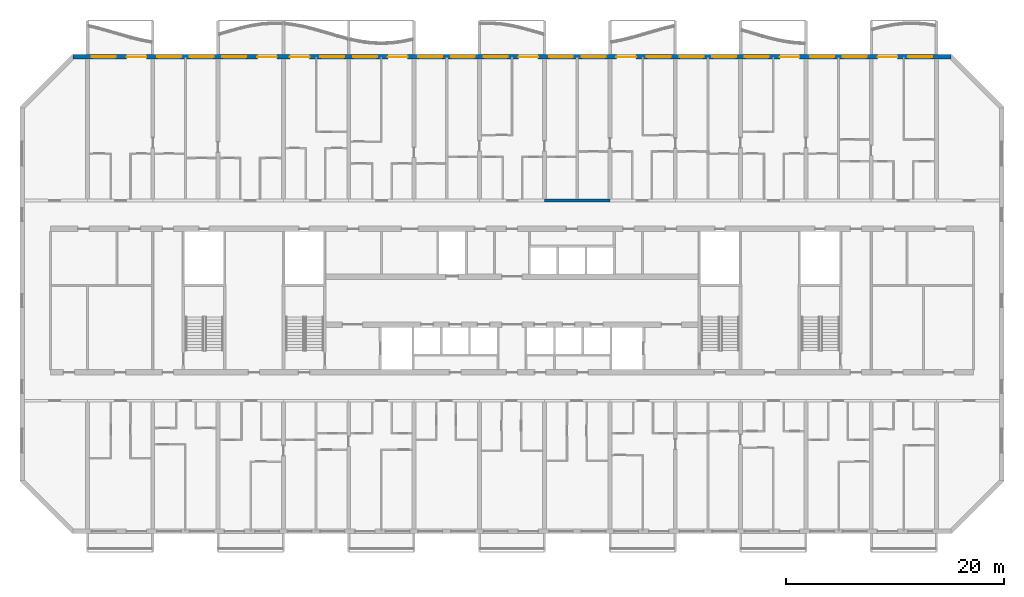
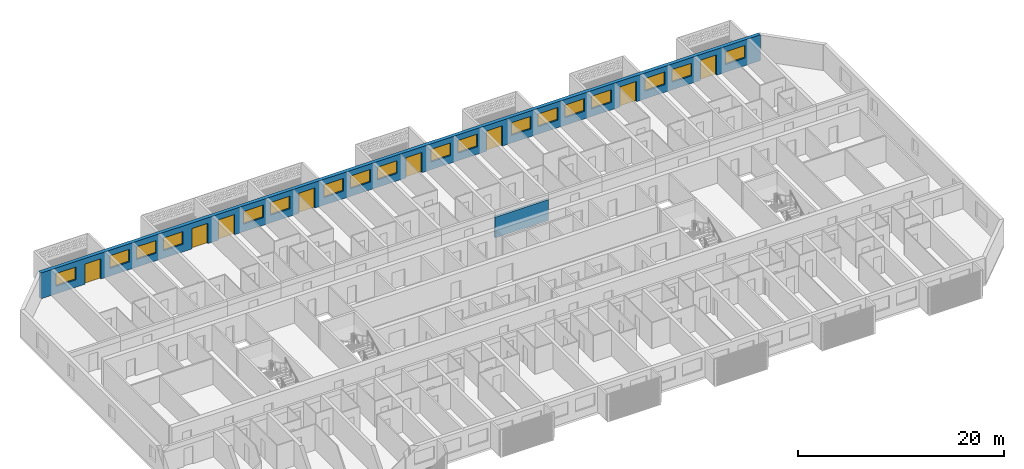
# One storey, part 12 of 31: 18 windows, 8 doors, 2 walls, 26 openings.
"""IFC4 building model written with IfcOpenShell, lengths in metres."""

from ifc_helpers import new_model, si_unit, direction, frame, frame_2d, origin, place, context, subcontext, project, spatial, rectangle, extrude, material, layer, layer_set, type_object, element, fill, save


model = new_model("IFC4")

# Units and contexts
model_context = context("Model", 3, precision=1e-05, world=origin(), true_north=direction((0.0, 1.0)))
body_context = subcontext(model_context, "Body", "Model", "MODEL_VIEW")
ifc_project = project(units=[si_unit("LENGTHUNIT", "METRE"), si_unit("AREAUNIT", "SQUARE_METRE"), si_unit("VOLUMEUNIT", "CUBIC_METRE"), si_unit("PLANEANGLEUNIT", "RADIAN"), si_unit("MASSUNIT", "GRAM", prefix="KILO")], contexts=[model_context])

# Site, building, storey
site_placement = place(None, origin())
site = spatial("IfcSite", under=ifc_project, at=site_placement, CompositionType="ELEMENT")
building_placement = place(site_placement, origin())
building = spatial("IfcBuilding", under=site, at=building_placement, Name="Poui Terraces", CompositionType="ELEMENT")
storey_placement = place(building_placement, frame((0.0, 0.0, 82.800048828125)))
storey = spatial("IfcBuildingStorey", under=building, at=storey_placement, Name="L22", CompositionType="ELEMENT", Elevation=82.800048828125)

# Wall
ifc_material_1 = material(Name="Concrete 65 MPa", Category="concrete")
ifc_layer_1 = layer(ifc_material_1, 0.25)
ifc_layer_set_1 = layer_set([ifc_layer_1], Name="Concrete 65 MPa")
wall_type_1 = type_object("IfcWallType", Name="CORRIDOR WALL 250 65MPa", PredefinedType="SHEAR", material=ifc_layer_set_1)
wall_1_placement = place(storey_placement, frame((54.0, 30.39990234375, 0.0), z_axis=(0.0, 0.0, 1.0), x_axis=(1.0, 0.0, 0.0)))
element("IfcWall", 1, at=wall_1_placement, inside=storey, type_object=wall_type_1, Name="CORRIDOR WALL LINE E BAY 9", PredefinedType="SHEAR", context=body_context, shape_type="SweptSolid", body=[
    extrude(rectangle(XDim=6.0, YDim=0.25, at=frame_2d((3.0, 0.0))), origin(), (0.0, 0.0, 1.0), 2.4599609375),
])

# Wall, openings, doors, windows
ifc_material_2 = material(Name="Precast concrete 40 MPa", Category="concrete")
ifc_layer_2 = layer(ifc_material_2, 0.39990234375)
ifc_layer_set_2 = layer_set([ifc_layer_2], Name="Precast concrete 40 MPa")
wall_type_2 = type_object("IfcWallType", Name="EXTERNAL WALL 400", PredefinedType="STANDARD", material=ifc_layer_set_2)
wall_2_placement = place(storey_placement, frame((91.317138671875, 43.60009765625, 0.0), z_axis=(0.0, 0.0, 1.0), x_axis=(-1.0, 0.0, 0.0)))
wall_2 = element("IfcWall", 2, at=wall_2_placement, inside=storey, type_object=wall_type_2, Name="EXTERNAL WALL N", PredefinedType="STANDARD", context=body_context, shape_type="SweptSolid", body=[
    extrude(rectangle(XDim=80.63427734375, YDim=0.39990234375, at=frame_2d((40.317138671875, 0.0))), origin(), (0.0, 0.0, 1.0), 3.06005859375),
])
opening_1_placement = place(wall_2_placement, frame((76.71728515625, 0.0, 0.89990234375)))
opening_1 = element("IfcOpeningElement", 3, at=opening_1_placement, cuts=wall_2, Name="Opening W1", PredefinedType="OPENING", context=body_context, shape_type="SweptSolid", body=[
    extrude(rectangle(XDim=2.199951171875, YDim=1.5, at=frame_2d((1.10009765625, 0.75))), frame((0.0, 0.2099609375, 0.0), z_axis=(0.0, -1.0, 0.0), x_axis=(1.0, 0.0, 0.0)), (0.0, 0.0, 1.0), 0.419921875),
])
opening_2_placement = place(wall_2_placement, frame((73.917236328125, 0.0, 0.0)))
opening_2 = element("IfcOpeningElement", 4, at=opening_2_placement, cuts=wall_2, Name="Opening BD1", PredefinedType="OPENING", context=body_context, shape_type="SweptSolid", body=[
    extrude(rectangle(XDim=1.800048828125, YDim=2.39990234375, at=frame_2d((0.89990234375, 1.199951171875))), frame((0.0, 0.2099609375, 0.0), z_axis=(0.0, -1.0, 0.0), x_axis=(1.0, 0.0, 0.0)), (0.0, 0.0, 1.0), 0.419921875),
])
opening_3_placement = place(wall_2_placement, frame((70.71728515625, 0.0, 0.89990234375)))
opening_3 = element("IfcOpeningElement", 5, at=opening_3_placement, cuts=wall_2, Name="Opening W1", PredefinedType="OPENING", context=body_context, shape_type="SweptSolid", body=[
    extrude(rectangle(XDim=2.199951171875, YDim=1.5, at=frame_2d((1.10009765625, 0.75))), frame((0.0, 0.2099609375, 0.0), z_axis=(0.0, -1.0, 0.0), x_axis=(1.0, 0.0, 0.0)), (0.0, 0.0, 1.0), 0.419921875),
])
opening_4_placement = place(wall_2_placement, frame((67.71728515625, 0.0, 0.89990234375)))
opening_4 = element("IfcOpeningElement", 6, at=opening_4_placement, cuts=wall_2, Name="Opening W1", PredefinedType="OPENING", context=body_context, shape_type="SweptSolid", body=[
    extrude(rectangle(XDim=2.199951171875, YDim=1.5, at=frame_2d((1.10009765625, 0.75))), frame((0.0, 0.2099609375, 0.0), z_axis=(0.0, -1.0, 0.0), x_axis=(1.0, 0.0, 0.0)), (0.0, 0.0, 1.0), 0.419921875),
])
opening_5_placement = place(wall_2_placement, frame((64.71728515625, 0.0, 0.89990234375)))
opening_5 = element("IfcOpeningElement", 7, at=opening_5_placement, cuts=wall_2, Name="Opening W1", PredefinedType="OPENING", context=body_context, shape_type="SweptSolid", body=[
    extrude(rectangle(XDim=2.199951171875, YDim=1.5, at=frame_2d((1.10009765625, 0.75))), frame((0.0, 0.2099609375, 0.0), z_axis=(0.0, -1.0, 0.0), x_axis=(1.0, 0.0, 0.0)), (0.0, 0.0, 1.0), 0.419921875),
])
opening_6_placement = place(wall_2_placement, frame((61.917236328125, 0.0, 0.0)))
opening_6 = element("IfcOpeningElement", 8, at=opening_6_placement, cuts=wall_2, Name="Opening BD1", PredefinedType="OPENING", context=body_context, shape_type="SweptSolid", body=[
    extrude(rectangle(XDim=1.800048828125, YDim=2.39990234375, at=frame_2d((0.89990234375, 1.199951171875))), frame((0.0, 0.2099609375, 0.0), z_axis=(0.0, -1.0, 0.0), x_axis=(1.0, 0.0, 0.0)), (0.0, 0.0, 1.0), 0.419921875),
])
opening_7_placement = place(wall_2_placement, frame((58.917236328125, 0.0, 0.0)))
opening_7 = element("IfcOpeningElement", 9, at=opening_7_placement, cuts=wall_2, Name="Opening BD1", PredefinedType="OPENING", context=body_context, shape_type="SweptSolid", body=[
    extrude(rectangle(XDim=1.800048828125, YDim=2.39990234375, at=frame_2d((0.89990234375, 1.199951171875))), frame((0.0, 0.2099609375, 0.0), z_axis=(0.0, -1.0, 0.0), x_axis=(1.0, 0.0, 0.0)), (0.0, 0.0, 1.0), 0.419921875),
])
opening_8_placement = place(wall_2_placement, frame((55.71728515625, 0.0, 0.89990234375)))
opening_8 = element("IfcOpeningElement", 10, at=opening_8_placement, cuts=wall_2, Name="Opening W1", PredefinedType="OPENING", context=body_context, shape_type="SweptSolid", body=[
    extrude(rectangle(XDim=2.199951171875, YDim=1.5, at=frame_2d((1.10009765625, 0.75))), frame((0.0, 0.2099609375, 0.0), z_axis=(0.0, -1.0, 0.0), x_axis=(1.0, 0.0, 0.0)), (0.0, 0.0, 1.0), 0.419921875),
])
opening_9_placement = place(wall_2_placement, frame((52.71728515625, 0.0, 0.89990234375)))
opening_9 = element("IfcOpeningElement", 11, at=opening_9_placement, cuts=wall_2, Name="Opening W1", PredefinedType="OPENING", context=body_context, shape_type="SweptSolid", body=[
    extrude(rectangle(XDim=2.199951171875, YDim=1.5, at=frame_2d((1.10009765625, 0.75))), frame((0.0, 0.2099609375, 0.0), z_axis=(0.0, -1.0, 0.0), x_axis=(1.0, 0.0, 0.0)), (0.0, 0.0, 1.0), 0.419921875),
])
opening_10_placement = place(wall_2_placement, frame((49.917236328125, 0.0, 0.0)))
opening_10 = element("IfcOpeningElement", 12, at=opening_10_placement, cuts=wall_2, Name="Opening BD1", PredefinedType="OPENING", context=body_context, shape_type="SweptSolid", body=[
    extrude(rectangle(XDim=1.800048828125, YDim=2.39990234375, at=frame_2d((0.89990234375, 1.199951171875))), frame((0.0, 0.2099609375, 0.0), z_axis=(0.0, -1.0, 0.0), x_axis=(1.0, 0.0, 0.0)), (0.0, 0.0, 1.0), 0.419921875),
])
opening_11_placement = place(wall_2_placement, frame((46.71728515625, 0.0, 0.89990234375)))
opening_11 = element("IfcOpeningElement", 13, at=opening_11_placement, cuts=wall_2, Name="Opening W1", PredefinedType="OPENING", context=body_context, shape_type="SweptSolid", body=[
    extrude(rectangle(XDim=2.199951171875, YDim=1.5, at=frame_2d((1.10009765625, 0.75))), frame((0.0, 0.2099609375, 0.0), z_axis=(0.0, -1.0, 0.0), x_axis=(1.0, 0.0, 0.0)), (0.0, 0.0, 1.0), 0.419921875),
])
opening_12_placement = place(wall_2_placement, frame((43.71728515625, 0.0, 0.89990234375)))
opening_12 = element("IfcOpeningElement", 14, at=opening_12_placement, cuts=wall_2, Name="Opening W1", PredefinedType="OPENING", context=body_context, shape_type="SweptSolid", body=[
    extrude(rectangle(XDim=2.199951171875, YDim=1.5, at=frame_2d((1.10009765625, 0.75))), frame((0.0, 0.2099609375, 0.0), z_axis=(0.0, -1.0, 0.0), x_axis=(1.0, 0.0, 0.0)), (0.0, 0.0, 1.0), 0.419921875),
])
opening_13_placement = place(wall_2_placement, frame((40.71728515625, 0.0, 0.89990234375)))
opening_13 = element("IfcOpeningElement", 15, at=opening_13_placement, cuts=wall_2, Name="Opening W1", PredefinedType="OPENING", context=body_context, shape_type="SweptSolid", body=[
    extrude(rectangle(XDim=2.199951171875, YDim=1.5, at=frame_2d((1.10009765625, 0.75))), frame((0.0, 0.2099609375, 0.0), z_axis=(0.0, -1.0, 0.0), x_axis=(1.0, 0.0, 0.0)), (0.0, 0.0, 1.0), 0.419921875),
])
opening_14_placement = place(wall_2_placement, frame((37.917236328125, 0.0, 0.0)))
opening_14 = element("IfcOpeningElement", 16, at=opening_14_placement, cuts=wall_2, Name="Opening BD1", PredefinedType="OPENING", context=body_context, shape_type="SweptSolid", body=[
    extrude(rectangle(XDim=1.800048828125, YDim=2.39990234375, at=frame_2d((0.89990234375, 1.199951171875))), frame((0.0, 0.2099609375, 0.0), z_axis=(0.0, -1.0, 0.0), x_axis=(1.0, 0.0, 0.0)), (0.0, 0.0, 1.0), 0.419921875),
])
opening_15_placement = place(wall_2_placement, frame((34.71728515625, 0.0, 0.89990234375)))
opening_15 = element("IfcOpeningElement", 17, at=opening_15_placement, cuts=wall_2, Name="Opening W1", PredefinedType="OPENING", context=body_context, shape_type="SweptSolid", body=[
    extrude(rectangle(XDim=2.199951171875, YDim=1.5, at=frame_2d((1.10009765625, 0.75))), frame((0.0, 0.2099609375, 0.0), z_axis=(0.0, -1.0, 0.0), x_axis=(1.0, 0.0, 0.0)), (0.0, 0.0, 1.0), 0.419921875),
])
opening_16_placement = place(wall_2_placement, frame((31.71728515625, 0.0, 0.89990234375)))
opening_16 = element("IfcOpeningElement", 18, at=opening_16_placement, cuts=wall_2, Name="Opening W1", PredefinedType="OPENING", context=body_context, shape_type="SweptSolid", body=[
    extrude(rectangle(XDim=2.199951171875, YDim=1.5, at=frame_2d((1.10009765625, 0.75))), frame((0.0, 0.2099609375, 0.0), z_axis=(0.0, -1.0, 0.0), x_axis=(1.0, 0.0, 0.0)), (0.0, 0.0, 1.0), 0.419921875),
])
opening_17_placement = place(wall_2_placement, frame((28.917236328125, 0.0, 0.0)))
opening_17 = element("IfcOpeningElement", 19, at=opening_17_placement, cuts=wall_2, Name="Opening BD1", PredefinedType="OPENING", context=body_context, shape_type="SweptSolid", body=[
    extrude(rectangle(XDim=1.800048828125, YDim=2.39990234375, at=frame_2d((0.89990234375, 1.199951171875))), frame((0.0, 0.2099609375, 0.0), z_axis=(0.0, -1.0, 0.0), x_axis=(1.0, 0.0, 0.0)), (0.0, 0.0, 1.0), 0.419921875),
])
opening_18_placement = place(wall_2_placement, frame((25.71728515625, 0.0, 0.89990234375)))
opening_18 = element("IfcOpeningElement", 20, at=opening_18_placement, cuts=wall_2, Name="Opening W1", PredefinedType="OPENING", context=body_context, shape_type="SweptSolid", body=[
    extrude(rectangle(XDim=2.199951171875, YDim=1.5, at=frame_2d((1.10009765625, 0.75))), frame((0.0, 0.2099609375, 0.0), z_axis=(0.0, -1.0, 0.0), x_axis=(1.0, 0.0, 0.0)), (0.0, 0.0, 1.0), 0.419921875),
])
opening_19_placement = place(wall_2_placement, frame((22.71728515625, 0.0, 0.89990234375)))
opening_19 = element("IfcOpeningElement", 21, at=opening_19_placement, cuts=wall_2, Name="Opening W1", PredefinedType="OPENING", context=body_context, shape_type="SweptSolid", body=[
    extrude(rectangle(XDim=2.199951171875, YDim=1.5, at=frame_2d((1.10009765625, 0.75))), frame((0.0, 0.2099609375, 0.0), z_axis=(0.0, -1.0, 0.0), x_axis=(1.0, 0.0, 0.0)), (0.0, 0.0, 1.0), 0.419921875),
])
opening_20_placement = place(wall_2_placement, frame((19.71728515625, 0.0, 0.89990234375)))
opening_20 = element("IfcOpeningElement", 22, at=opening_20_placement, cuts=wall_2, Name="Opening W1", PredefinedType="OPENING", context=body_context, shape_type="SweptSolid", body=[
    extrude(rectangle(XDim=2.199951171875, YDim=1.5, at=frame_2d((1.10009765625, 0.75))), frame((0.0, 0.2099609375, 0.0), z_axis=(0.0, -1.0, 0.0), x_axis=(1.0, 0.0, 0.0)), (0.0, 0.0, 1.0), 0.419921875),
])
opening_21_placement = place(wall_2_placement, frame((16.71728515625, 0.0, 0.89990234375)))
opening_21 = element("IfcOpeningElement", 23, at=opening_21_placement, cuts=wall_2, Name="Opening W1", PredefinedType="OPENING", context=body_context, shape_type="SweptSolid", body=[
    extrude(rectangle(XDim=2.199951171875, YDim=1.5, at=frame_2d((1.10009765625, 0.75))), frame((0.0, 0.2099609375, 0.0), z_axis=(0.0, -1.0, 0.0), x_axis=(1.0, 0.0, 0.0)), (0.0, 0.0, 1.0), 0.419921875),
])
opening_22_placement = place(wall_2_placement, frame((13.917236328125, 0.0, 0.0)))
opening_22 = element("IfcOpeningElement", 24, at=opening_22_placement, cuts=wall_2, Name="Opening BD1", PredefinedType="OPENING", context=body_context, shape_type="SweptSolid", body=[
    extrude(rectangle(XDim=1.800048828125, YDim=2.39990234375, at=frame_2d((0.89990234375, 1.199951171875))), frame((0.0, 0.2099609375, 0.0), z_axis=(0.0, -1.0, 0.0), x_axis=(1.0, 0.0, 0.0)), (0.0, 0.0, 1.0), 0.419921875),
])
opening_23_placement = place(wall_2_placement, frame((10.71728515625, 0.0, 0.89990234375)))
opening_23 = element("IfcOpeningElement", 25, at=opening_23_placement, cuts=wall_2, Name="Opening W1", PredefinedType="OPENING", context=body_context, shape_type="SweptSolid", body=[
    extrude(rectangle(XDim=2.199951171875, YDim=1.5, at=frame_2d((1.10009765625, 0.75))), frame((0.0, 0.2099609375, 0.0), z_axis=(0.0, -1.0, 0.0), x_axis=(1.0, 0.0, 0.0)), (0.0, 0.0, 1.0), 0.419921875),
])
opening_24_placement = place(wall_2_placement, frame((7.71728515625, 0.0, 0.89990234375)))
opening_24 = element("IfcOpeningElement", 26, at=opening_24_placement, cuts=wall_2, Name="Opening W1", PredefinedType="OPENING", context=body_context, shape_type="SweptSolid", body=[
    extrude(rectangle(XDim=2.199951171875, YDim=1.5, at=frame_2d((1.10009765625, 0.75))), frame((0.0, 0.2099609375, 0.0), z_axis=(0.0, -1.0, 0.0), x_axis=(1.0, 0.0, 0.0)), (0.0, 0.0, 1.0), 0.419921875),
])
opening_25_placement = place(wall_2_placement, frame((4.917236328125, 0.0, 0.0)))
opening_25 = element("IfcOpeningElement", 27, at=opening_25_placement, cuts=wall_2, Name="Opening BD1", PredefinedType="OPENING", context=body_context, shape_type="SweptSolid", body=[
    extrude(rectangle(XDim=1.800048828125, YDim=2.39990234375, at=frame_2d((0.89990234375, 1.199951171875))), frame((0.0, 0.2099609375, 0.0), z_axis=(0.0, -1.0, 0.0), x_axis=(1.0, 0.0, 0.0)), (0.0, 0.0, 1.0), 0.419921875),
])
opening_26_placement = place(wall_2_placement, frame((1.71728515625, 0.0, 0.89990234375)))
opening_26 = element("IfcOpeningElement", 28, at=opening_26_placement, cuts=wall_2, Name="Opening W1", PredefinedType="OPENING", context=body_context, shape_type="SweptSolid", body=[
    extrude(rectangle(XDim=2.199951171875, YDim=1.5, at=frame_2d((1.10009765625, 0.75))), frame((0.0, 0.2099609375, 0.0), z_axis=(0.0, -1.0, 0.0), x_axis=(1.0, 0.0, 0.0)), (0.0, 0.0, 1.0), 0.419921875),
])
ifc_material_3 = material(Name="Clear glass in aluminium frame", Category="aluminium")
door_type = type_object("IfcDoorType", Name="BALCONY DOOR 1800X2400", OperationType="DOUBLE_DOOR_SLIDING", PredefinedType="DOOR", material=ifc_material_3)
door_1_placement = place(opening_2_placement, origin())
door_1 = element("IfcDoor", 29, at=door_1_placement, inside=storey, type_object=door_type, Name="BD1 BALCONY DOOR", OperationType="DOUBLE_DOOR_SLIDING", OverallHeight=2.39990234375, OverallWidth=1.800048828125, PredefinedType="DOOR", context=body_context, shape_type="SweptSolid", body=[
    extrude(rectangle(XDim=1.800048828125, YDim=2.39990234375, at=frame_2d((0.89990234375, 1.199951171875))), frame((0.0, 0.02490234375, 0.0), z_axis=(0.0, -1.0, 0.0), x_axis=(1.0, 0.0, 0.0)), (0.0, 0.0, 1.0), 0.050048828125),
])
fill(opening_2, door_1)
door_2_placement = place(opening_6_placement, origin())
door_2 = element("IfcDoor", 30, at=door_2_placement, inside=storey, type_object=door_type, Name="BD1 BALCONY DOOR", OperationType="DOUBLE_DOOR_SLIDING", OverallHeight=2.39990234375, OverallWidth=1.800048828125, PredefinedType="DOOR", context=body_context, shape_type="SweptSolid", body=[
    extrude(rectangle(XDim=1.800048828125, YDim=2.39990234375, at=frame_2d((0.89990234375, 1.199951171875))), frame((0.0, 0.02490234375, 0.0), z_axis=(0.0, -1.0, 0.0), x_axis=(1.0, 0.0, 0.0)), (0.0, 0.0, 1.0), 0.050048828125),
])
fill(opening_6, door_2)
door_3_placement = place(opening_7_placement, origin())
door_3 = element("IfcDoor", 31, at=door_3_placement, inside=storey, type_object=door_type, Name="BD1 BALCONY DOOR", OperationType="DOUBLE_DOOR_SLIDING", OverallHeight=2.39990234375, OverallWidth=1.800048828125, PredefinedType="DOOR", context=body_context, shape_type="SweptSolid", body=[
    extrude(rectangle(XDim=1.800048828125, YDim=2.39990234375, at=frame_2d((0.89990234375, 1.199951171875))), frame((0.0, 0.02490234375, 0.0), z_axis=(0.0, -1.0, 0.0), x_axis=(1.0, 0.0, 0.0)), (0.0, 0.0, 1.0), 0.050048828125),
])
fill(opening_7, door_3)
door_4_placement = place(opening_10_placement, origin())
door_4 = element("IfcDoor", 32, at=door_4_placement, inside=storey, type_object=door_type, Name="BD1 BALCONY DOOR", OperationType="DOUBLE_DOOR_SLIDING", OverallHeight=2.39990234375, OverallWidth=1.800048828125, PredefinedType="DOOR", context=body_context, shape_type="SweptSolid", body=[
    extrude(rectangle(XDim=1.800048828125, YDim=2.39990234375, at=frame_2d((0.89990234375, 1.199951171875))), frame((0.0, 0.02490234375, 0.0), z_axis=(0.0, -1.0, 0.0), x_axis=(1.0, 0.0, 0.0)), (0.0, 0.0, 1.0), 0.050048828125),
])
fill(opening_10, door_4)
door_5_placement = place(opening_14_placement, origin())
door_5 = element("IfcDoor", 33, at=door_5_placement, inside=storey, type_object=door_type, Name="BD1 BALCONY DOOR", OperationType="DOUBLE_DOOR_SLIDING", OverallHeight=2.39990234375, OverallWidth=1.800048828125, PredefinedType="DOOR", context=body_context, shape_type="SweptSolid", body=[
    extrude(rectangle(XDim=1.800048828125, YDim=2.39990234375, at=frame_2d((0.89990234375, 1.199951171875))), frame((0.0, 0.02490234375, 0.0), z_axis=(0.0, -1.0, 0.0), x_axis=(1.0, 0.0, 0.0)), (0.0, 0.0, 1.0), 0.050048828125),
])
fill(opening_14, door_5)
door_6_placement = place(opening_17_placement, origin())
door_6 = element("IfcDoor", 34, at=door_6_placement, inside=storey, type_object=door_type, Name="BD1 BALCONY DOOR", OperationType="DOUBLE_DOOR_SLIDING", OverallHeight=2.39990234375, OverallWidth=1.800048828125, PredefinedType="DOOR", context=body_context, shape_type="SweptSolid", body=[
    extrude(rectangle(XDim=1.800048828125, YDim=2.39990234375, at=frame_2d((0.89990234375, 1.199951171875))), frame((0.0, 0.02490234375, 0.0), z_axis=(0.0, -1.0, 0.0), x_axis=(1.0, 0.0, 0.0)), (0.0, 0.0, 1.0), 0.050048828125),
])
fill(opening_17, door_6)
door_7_placement = place(opening_22_placement, origin())
door_7 = element("IfcDoor", 35, at=door_7_placement, inside=storey, type_object=door_type, Name="BD1 BALCONY DOOR", OperationType="DOUBLE_DOOR_SLIDING", OverallHeight=2.39990234375, OverallWidth=1.800048828125, PredefinedType="DOOR", context=body_context, shape_type="SweptSolid", body=[
    extrude(rectangle(XDim=1.800048828125, YDim=2.39990234375, at=frame_2d((0.89990234375, 1.199951171875))), frame((0.0, 0.02490234375, 0.0), z_axis=(0.0, -1.0, 0.0), x_axis=(1.0, 0.0, 0.0)), (0.0, 0.0, 1.0), 0.050048828125),
])
fill(opening_22, door_7)
door_8_placement = place(opening_25_placement, origin())
door_8 = element("IfcDoor", 36, at=door_8_placement, inside=storey, type_object=door_type, Name="BD1 BALCONY DOOR", OperationType="DOUBLE_DOOR_SLIDING", OverallHeight=2.39990234375, OverallWidth=1.800048828125, PredefinedType="DOOR", context=body_context, shape_type="SweptSolid", body=[
    extrude(rectangle(XDim=1.800048828125, YDim=2.39990234375, at=frame_2d((0.89990234375, 1.199951171875))), frame((0.0, 0.02490234375, 0.0), z_axis=(0.0, -1.0, 0.0), x_axis=(1.0, 0.0, 0.0)), (0.0, 0.0, 1.0), 0.050048828125),
])
fill(opening_25, door_8)
window_type = type_object("IfcWindowType", Name="WINDOW 2200X1500", PartitioningType="DOUBLE_PANEL_HORIZONTAL", PredefinedType="WINDOW", material=ifc_material_3)
window_1_placement = place(opening_1_placement, origin())
window_1 = element("IfcWindow", 37, at=window_1_placement, inside=storey, type_object=window_type, Name="W1 WINDOW", OverallHeight=1.5, OverallWidth=2.199951171875, PartitioningType="DOUBLE_PANEL_HORIZONTAL", PredefinedType="WINDOW", context=body_context, shape_type="SweptSolid", body=[
    extrude(rectangle(XDim=2.199951171875, YDim=1.5, at=frame_2d((1.10009765625, 0.75))), frame((0.0, 0.030029296875, 0.0), z_axis=(0.0, -1.0, 0.0), x_axis=(1.0, 0.0, 0.0)), (0.0, 0.0, 1.0), 0.06005859375),
])
fill(opening_1, window_1)
window_2_placement = place(opening_3_placement, origin())
window_2 = element("IfcWindow", 38, at=window_2_placement, inside=storey, type_object=window_type, Name="W1 WINDOW", OverallHeight=1.5, OverallWidth=2.199951171875, PartitioningType="DOUBLE_PANEL_HORIZONTAL", PredefinedType="WINDOW", context=body_context, shape_type="SweptSolid", body=[
    extrude(rectangle(XDim=2.199951171875, YDim=1.5, at=frame_2d((1.10009765625, 0.75))), frame((0.0, 0.030029296875, 0.0), z_axis=(0.0, -1.0, 0.0), x_axis=(1.0, 0.0, 0.0)), (0.0, 0.0, 1.0), 0.06005859375),
])
fill(opening_3, window_2)
window_3_placement = place(opening_4_placement, origin())
window_3 = element("IfcWindow", 39, at=window_3_placement, inside=storey, type_object=window_type, Name="W1 WINDOW", OverallHeight=1.5, OverallWidth=2.199951171875, PartitioningType="DOUBLE_PANEL_HORIZONTAL", PredefinedType="WINDOW", context=body_context, shape_type="SweptSolid", body=[
    extrude(rectangle(XDim=2.199951171875, YDim=1.5, at=frame_2d((1.10009765625, 0.75))), frame((0.0, 0.030029296875, 0.0), z_axis=(0.0, -1.0, 0.0), x_axis=(1.0, 0.0, 0.0)), (0.0, 0.0, 1.0), 0.06005859375),
])
fill(opening_4, window_3)
window_4_placement = place(opening_5_placement, origin())
window_4 = element("IfcWindow", 40, at=window_4_placement, inside=storey, type_object=window_type, Name="W1 WINDOW", OverallHeight=1.5, OverallWidth=2.199951171875, PartitioningType="DOUBLE_PANEL_HORIZONTAL", PredefinedType="WINDOW", context=body_context, shape_type="SweptSolid", body=[
    extrude(rectangle(XDim=2.199951171875, YDim=1.5, at=frame_2d((1.10009765625, 0.75))), frame((0.0, 0.030029296875, 0.0), z_axis=(0.0, -1.0, 0.0), x_axis=(1.0, 0.0, 0.0)), (0.0, 0.0, 1.0), 0.06005859375),
])
fill(opening_5, window_4)
window_5_placement = place(opening_8_placement, origin())
window_5 = element("IfcWindow", 41, at=window_5_placement, inside=storey, type_object=window_type, Name="W1 WINDOW", OverallHeight=1.5, OverallWidth=2.199951171875, PartitioningType="DOUBLE_PANEL_HORIZONTAL", PredefinedType="WINDOW", context=body_context, shape_type="SweptSolid", body=[
    extrude(rectangle(XDim=2.199951171875, YDim=1.5, at=frame_2d((1.10009765625, 0.75))), frame((0.0, 0.030029296875, 0.0), z_axis=(0.0, -1.0, 0.0), x_axis=(1.0, 0.0, 0.0)), (0.0, 0.0, 1.0), 0.06005859375),
])
fill(opening_8, window_5)
window_6_placement = place(opening_9_placement, origin())
window_6 = element("IfcWindow", 42, at=window_6_placement, inside=storey, type_object=window_type, Name="W1 WINDOW", OverallHeight=1.5, OverallWidth=2.199951171875, PartitioningType="DOUBLE_PANEL_HORIZONTAL", PredefinedType="WINDOW", context=body_context, shape_type="SweptSolid", body=[
    extrude(rectangle(XDim=2.199951171875, YDim=1.5, at=frame_2d((1.10009765625, 0.75))), frame((0.0, 0.030029296875, 0.0), z_axis=(0.0, -1.0, 0.0), x_axis=(1.0, 0.0, 0.0)), (0.0, 0.0, 1.0), 0.06005859375),
])
fill(opening_9, window_6)
window_7_placement = place(opening_11_placement, origin())
window_7 = element("IfcWindow", 43, at=window_7_placement, inside=storey, type_object=window_type, Name="W1 WINDOW", OverallHeight=1.5, OverallWidth=2.199951171875, PartitioningType="DOUBLE_PANEL_HORIZONTAL", PredefinedType="WINDOW", context=body_context, shape_type="SweptSolid", body=[
    extrude(rectangle(XDim=2.199951171875, YDim=1.5, at=frame_2d((1.10009765625, 0.75))), frame((0.0, 0.030029296875, 0.0), z_axis=(0.0, -1.0, 0.0), x_axis=(1.0, 0.0, 0.0)), (0.0, 0.0, 1.0), 0.06005859375),
])
fill(opening_11, window_7)
window_8_placement = place(opening_12_placement, origin())
window_8 = element("IfcWindow", 44, at=window_8_placement, inside=storey, type_object=window_type, Name="W1 WINDOW", OverallHeight=1.5, OverallWidth=2.199951171875, PartitioningType="DOUBLE_PANEL_HORIZONTAL", PredefinedType="WINDOW", context=body_context, shape_type="SweptSolid", body=[
    extrude(rectangle(XDim=2.199951171875, YDim=1.5, at=frame_2d((1.10009765625, 0.75))), frame((0.0, 0.030029296875, 0.0), z_axis=(0.0, -1.0, 0.0), x_axis=(1.0, 0.0, 0.0)), (0.0, 0.0, 1.0), 0.06005859375),
])
fill(opening_12, window_8)
window_9_placement = place(opening_13_placement, origin())
window_9 = element("IfcWindow", 45, at=window_9_placement, inside=storey, type_object=window_type, Name="W1 WINDOW", OverallHeight=1.5, OverallWidth=2.199951171875, PartitioningType="DOUBLE_PANEL_HORIZONTAL", PredefinedType="WINDOW", context=body_context, shape_type="SweptSolid", body=[
    extrude(rectangle(XDim=2.199951171875, YDim=1.5, at=frame_2d((1.10009765625, 0.75))), frame((0.0, 0.030029296875, 0.0), z_axis=(0.0, -1.0, 0.0), x_axis=(1.0, 0.0, 0.0)), (0.0, 0.0, 1.0), 0.06005859375),
])
fill(opening_13, window_9)
window_10_placement = place(opening_15_placement, origin())
window_10 = element("IfcWindow", 46, at=window_10_placement, inside=storey, type_object=window_type, Name="W1 WINDOW", OverallHeight=1.5, OverallWidth=2.199951171875, PartitioningType="DOUBLE_PANEL_HORIZONTAL", PredefinedType="WINDOW", context=body_context, shape_type="SweptSolid", body=[
    extrude(rectangle(XDim=2.199951171875, YDim=1.5, at=frame_2d((1.10009765625, 0.75))), frame((0.0, 0.030029296875, 0.0), z_axis=(0.0, -1.0, 0.0), x_axis=(1.0, 0.0, 0.0)), (0.0, 0.0, 1.0), 0.06005859375),
])
fill(opening_15, window_10)
window_11_placement = place(opening_16_placement, origin())
window_11 = element("IfcWindow", 47, at=window_11_placement, inside=storey, type_object=window_type, Name="W1 WINDOW", OverallHeight=1.5, OverallWidth=2.199951171875, PartitioningType="DOUBLE_PANEL_HORIZONTAL", PredefinedType="WINDOW", context=body_context, shape_type="SweptSolid", body=[
    extrude(rectangle(XDim=2.199951171875, YDim=1.5, at=frame_2d((1.10009765625, 0.75))), frame((0.0, 0.030029296875, 0.0), z_axis=(0.0, -1.0, 0.0), x_axis=(1.0, 0.0, 0.0)), (0.0, 0.0, 1.0), 0.06005859375),
])
fill(opening_16, window_11)
window_12_placement = place(opening_18_placement, origin())
window_12 = element("IfcWindow", 48, at=window_12_placement, inside=storey, type_object=window_type, Name="W1 WINDOW", OverallHeight=1.5, OverallWidth=2.199951171875, PartitioningType="DOUBLE_PANEL_HORIZONTAL", PredefinedType="WINDOW", context=body_context, shape_type="SweptSolid", body=[
    extrude(rectangle(XDim=2.199951171875, YDim=1.5, at=frame_2d((1.10009765625, 0.75))), frame((0.0, 0.030029296875, 0.0), z_axis=(0.0, -1.0, 0.0), x_axis=(1.0, 0.0, 0.0)), (0.0, 0.0, 1.0), 0.06005859375),
])
fill(opening_18, window_12)
window_13_placement = place(opening_19_placement, origin())
window_13 = element("IfcWindow", 49, at=window_13_placement, inside=storey, type_object=window_type, Name="W1 WINDOW", OverallHeight=1.5, OverallWidth=2.199951171875, PartitioningType="DOUBLE_PANEL_HORIZONTAL", PredefinedType="WINDOW", context=body_context, shape_type="SweptSolid", body=[
    extrude(rectangle(XDim=2.199951171875, YDim=1.5, at=frame_2d((1.10009765625, 0.75))), frame((0.0, 0.030029296875, 0.0), z_axis=(0.0, -1.0, 0.0), x_axis=(1.0, 0.0, 0.0)), (0.0, 0.0, 1.0), 0.06005859375),
])
fill(opening_19, window_13)
window_14_placement = place(opening_20_placement, origin())
window_14 = element("IfcWindow", 50, at=window_14_placement, inside=storey, type_object=window_type, Name="W1 WINDOW", OverallHeight=1.5, OverallWidth=2.199951171875, PartitioningType="DOUBLE_PANEL_HORIZONTAL", PredefinedType="WINDOW", context=body_context, shape_type="SweptSolid", body=[
    extrude(rectangle(XDim=2.199951171875, YDim=1.5, at=frame_2d((1.10009765625, 0.75))), frame((0.0, 0.030029296875, 0.0), z_axis=(0.0, -1.0, 0.0), x_axis=(1.0, 0.0, 0.0)), (0.0, 0.0, 1.0), 0.06005859375),
])
fill(opening_20, window_14)
window_15_placement = place(opening_21_placement, origin())
window_15 = element("IfcWindow", 51, at=window_15_placement, inside=storey, type_object=window_type, Name="W1 WINDOW", OverallHeight=1.5, OverallWidth=2.199951171875, PartitioningType="DOUBLE_PANEL_HORIZONTAL", PredefinedType="WINDOW", context=body_context, shape_type="SweptSolid", body=[
    extrude(rectangle(XDim=2.199951171875, YDim=1.5, at=frame_2d((1.10009765625, 0.75))), frame((0.0, 0.030029296875, 0.0), z_axis=(0.0, -1.0, 0.0), x_axis=(1.0, 0.0, 0.0)), (0.0, 0.0, 1.0), 0.06005859375),
])
fill(opening_21, window_15)
window_16_placement = place(opening_23_placement, origin())
window_16 = element("IfcWindow", 52, at=window_16_placement, inside=storey, type_object=window_type, Name="W1 WINDOW", OverallHeight=1.5, OverallWidth=2.199951171875, PartitioningType="DOUBLE_PANEL_HORIZONTAL", PredefinedType="WINDOW", context=body_context, shape_type="SweptSolid", body=[
    extrude(rectangle(XDim=2.199951171875, YDim=1.5, at=frame_2d((1.10009765625, 0.75))), frame((0.0, 0.030029296875, 0.0), z_axis=(0.0, -1.0, 0.0), x_axis=(1.0, 0.0, 0.0)), (0.0, 0.0, 1.0), 0.06005859375),
])
fill(opening_23, window_16)
window_17_placement = place(opening_24_placement, origin())
window_17 = element("IfcWindow", 53, at=window_17_placement, inside=storey, type_object=window_type, Name="W1 WINDOW", OverallHeight=1.5, OverallWidth=2.199951171875, PartitioningType="DOUBLE_PANEL_HORIZONTAL", PredefinedType="WINDOW", context=body_context, shape_type="SweptSolid", body=[
    extrude(rectangle(XDim=2.199951171875, YDim=1.5, at=frame_2d((1.10009765625, 0.75))), frame((0.0, 0.030029296875, 0.0), z_axis=(0.0, -1.0, 0.0), x_axis=(1.0, 0.0, 0.0)), (0.0, 0.0, 1.0), 0.06005859375),
])
fill(opening_24, window_17)
window_18_placement = place(opening_26_placement, origin())
window_18 = element("IfcWindow", 54, at=window_18_placement, inside=storey, type_object=window_type, Name="W1 WINDOW", OverallHeight=1.5, OverallWidth=2.199951171875, PartitioningType="DOUBLE_PANEL_HORIZONTAL", PredefinedType="WINDOW", context=body_context, shape_type="SweptSolid", body=[
    extrude(rectangle(XDim=2.199951171875, YDim=1.5, at=frame_2d((1.10009765625, 0.75))), frame((0.0, 0.030029296875, 0.0), z_axis=(0.0, -1.0, 0.0), x_axis=(1.0, 0.0, 0.0)), (0.0, 0.0, 1.0), 0.06005859375),
])
fill(opening_26, window_18)

save(model, "model.ifc")
